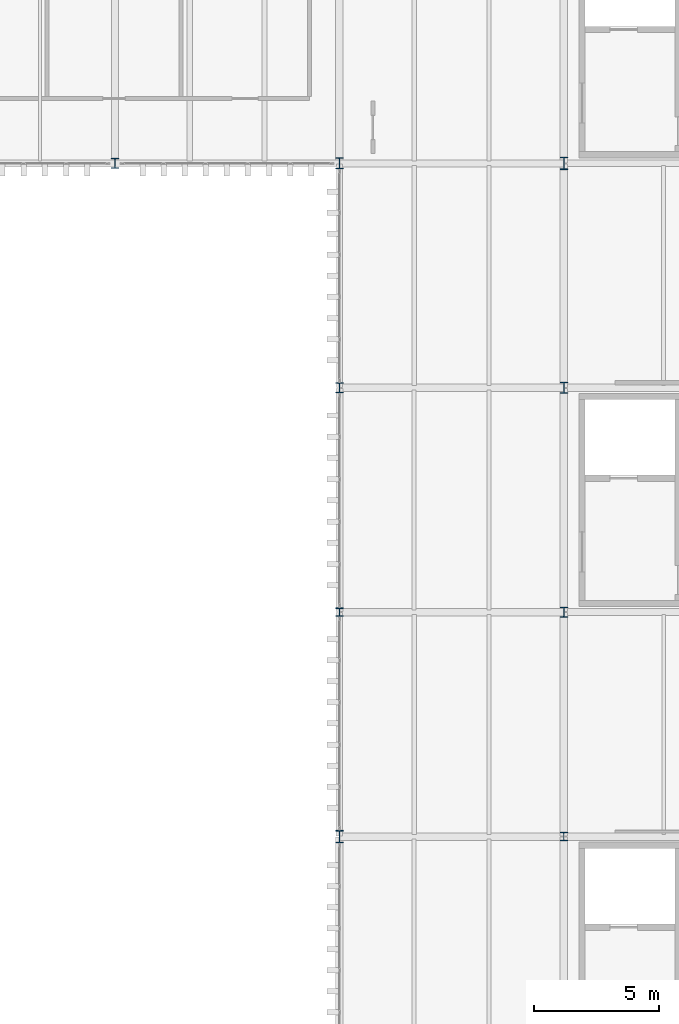
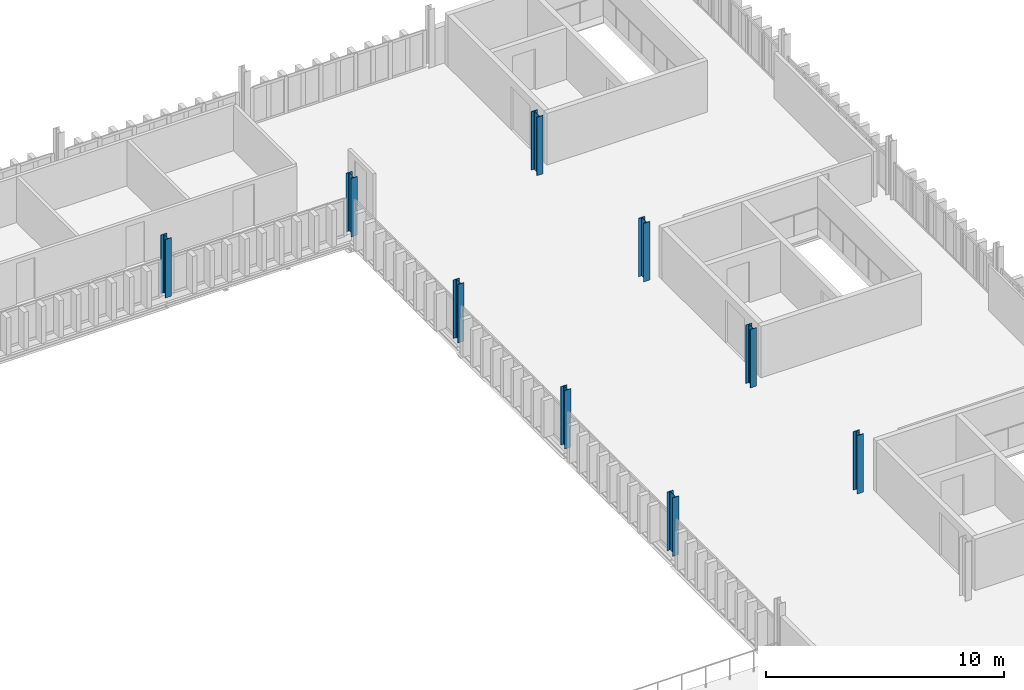
# One storey, part 7 of 58: 9 columns.
"""IFC4 building model written with IfcOpenShell, lengths in metres."""

from ifc_helpers import new_model, si_unit, direction, frame, origin, origin_2d, place, context, subcontext, project, spatial, i_section, extrude, material, material_profile, profile_set, type_object, element, save


model = new_model("IFC4")

# Units and contexts
model_context = context("Model", 3, precision=1e-05, world=origin(), true_north=direction((0.0, 1.0)))
body_context = subcontext(model_context, "Body", "Model", "MODEL_VIEW")
ifc_project = project(units=[si_unit("LENGTHUNIT", "METRE"), si_unit("AREAUNIT", "SQUARE_METRE"), si_unit("VOLUMEUNIT", "CUBIC_METRE"), si_unit("PLANEANGLEUNIT", "RADIAN"), si_unit("MASSUNIT", "GRAM", prefix="KILO")], contexts=[model_context])

# Site, building, storey
site_placement = place(None, origin())
site = spatial("IfcSite", under=ifc_project, at=site_placement, CompositionType="ELEMENT")
building_placement = place(site_placement, origin())
building = spatial("IfcBuilding", under=site, at=building_placement, Name="Barlavento Convention Centre", CompositionType="ELEMENT")
storey_placement = place(building_placement, frame((0.0, 0.0, 26.800048828125)))
storey = spatial("IfcBuildingStorey", under=building, at=storey_placement, Name="L05", CompositionType="ELEMENT", Elevation=26.800048828125)

# Columns
ifc_material = material(Name="Steel S355", Category="steel")
ifc_material_profile_1 = material_profile(ifc_material, i_section(OverallWidth=0.300048828125, OverallDepth=0.340087890625, WebThickness=0.011962890625, FlangeThickness=0.021484375, FilletRadius=0.027099609375, at=origin_2d()), Name="HEB 340")
ifc_profile_set_1 = profile_set([ifc_material_profile_1], Name="Steel S355")
column_type_1 = type_object("IfcColumnType", Name="STR-COL-HEB340", PredefinedType="COLUMN", material=ifc_profile_set_1)
for number, where, z_axis, x_axis, name in (
    (1, (171.0, 72.0, 0.0), (0.0, 0.0, 1.0), (1.0, 0.0, 0.0), "L05 column SC12"),
    (2, (180.0, 63.0, 0.0), (0.0, 0.0, 1.0), (1.0, 0.0, 0.0), "L05 column SC12"),
):
    element("IfcColumn", number, at=place(storey_placement, frame(where, z_axis=z_axis, x_axis=x_axis)), inside=storey, type_object=column_type_1, Name=name, PredefinedType="COLUMN", context=body_context, shape_type="SweptSolid", body=[
        extrude(i_section(OverallWidth=0.300048828125, OverallDepth=0.340087890625, WebThickness=0.011962890625, FlangeThickness=0.021484375, FilletRadius=0.027099609375, at=origin_2d()), origin(), (0.0, 0.0, 1.0), 3.0),
    ])
ifc_material_profile_2 = material_profile(ifc_material, i_section(OverallWidth=0.300048828125, OverallDepth=0.39990234375, WebThickness=0.013427734375, FlangeThickness=0.02392578125, FilletRadius=0.027099609375, at=origin_2d()), Name="HEB 400")
ifc_profile_set_2 = profile_set([ifc_material_profile_2], Name="Steel S355")
column_type_2 = type_object("IfcColumnType", Name="STR-COL-HEB400", PredefinedType="COLUMN", material=ifc_profile_set_2)
for number, where, z_axis, x_axis, name in (
    (3, (162.0, 90.0, 0.0), (0.0, 0.0, 1.0), (1.0, 0.0, 0.0), "L05 column SC11"),
    (4, (171.0, 81.0, 0.0), (0.0, 0.0, 1.0), (1.0, 0.0, 0.0), "L05 column SC11"),
    (5, (180.0, 72.0, 0.0), (0.0, 0.0, 1.0), (1.0, 0.0, 0.0), "L05 column SC11"),
):
    element("IfcColumn", number, at=place(storey_placement, frame(where, z_axis=z_axis, x_axis=x_axis)), inside=storey, type_object=column_type_2, Name=name, PredefinedType="COLUMN", context=body_context, shape_type="SweptSolid", body=[
        extrude(i_section(OverallWidth=0.300048828125, OverallDepth=0.39990234375, WebThickness=0.013427734375, FlangeThickness=0.02392578125, FilletRadius=0.027099609375, at=origin_2d()), origin(), (0.0, 0.0, 1.0), 3.0),
    ])
ifc_material_profile_3 = material_profile(ifc_material, i_section(OverallWidth=0.300048828125, OverallDepth=0.449951171875, WebThickness=0.013916015625, FlangeThickness=0.02587890625, FilletRadius=0.027099609375, at=origin_2d()), Name="HEB 450")
ifc_profile_set_3 = profile_set([ifc_material_profile_3], Name="Steel S355")
column_type_3 = type_object("IfcColumnType", Name="STR-COL-HEB450", PredefinedType="COLUMN", material=ifc_profile_set_3)
for number, where, z_axis, x_axis, name in (
    (6, (171.0, 90.0, 0.0), (0.0, 0.0, 1.0), (1.0, 0.0, 0.0), "L05 column SC10"),
    (7, (180.0, 81.0, 0.0), (0.0, 0.0, 1.0), (1.0, 0.0, 0.0), "L05 column SC10"),
):
    element("IfcColumn", number, at=place(storey_placement, frame(where, z_axis=z_axis, x_axis=x_axis)), inside=storey, type_object=column_type_3, Name=name, PredefinedType="COLUMN", context=body_context, shape_type="SweptSolid", body=[
        extrude(i_section(OverallWidth=0.300048828125, OverallDepth=0.449951171875, WebThickness=0.013916015625, FlangeThickness=0.02587890625, FilletRadius=0.027099609375, at=origin_2d()), origin(), (0.0, 0.0, 1.0), 3.0),
    ])
ifc_material_profile_4 = material_profile(ifc_material, i_section(OverallWidth=0.300048828125, OverallDepth=0.5, WebThickness=0.014404296875, FlangeThickness=0.028076171875, FilletRadius=0.027099609375, at=origin_2d()), Name="HEB 500")
ifc_profile_set_4 = profile_set([ifc_material_profile_4], Name="Steel S355")
column_type_4 = type_object("IfcColumnType", Name="STR-COL-HEB500", PredefinedType="COLUMN", material=ifc_profile_set_4)
for number, where, z_axis, x_axis, name in (
    (8, (171.0, 63.0, 0.0), (0.0, 0.0, 1.0), (1.0, 0.0, 0.0), "L05 column SC09"),
    (9, (180.0, 90.0, 0.0), (0.0, 0.0, 1.0), (1.0, 0.0, 0.0), "L05 column SC09"),
):
    element("IfcColumn", number, at=place(storey_placement, frame(where, z_axis=z_axis, x_axis=x_axis)), inside=storey, type_object=column_type_4, Name=name, PredefinedType="COLUMN", context=body_context, shape_type="SweptSolid", body=[
        extrude(i_section(OverallWidth=0.300048828125, OverallDepth=0.5, WebThickness=0.014404296875, FlangeThickness=0.028076171875, FilletRadius=0.027099609375, at=origin_2d()), origin(), (0.0, 0.0, 1.0), 3.0),
    ])

save(model, "model.ifc")
